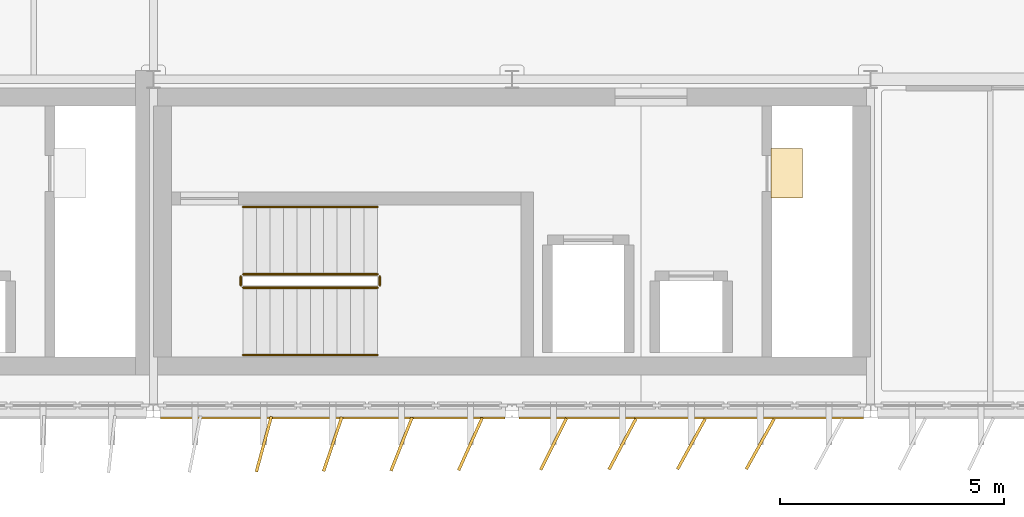
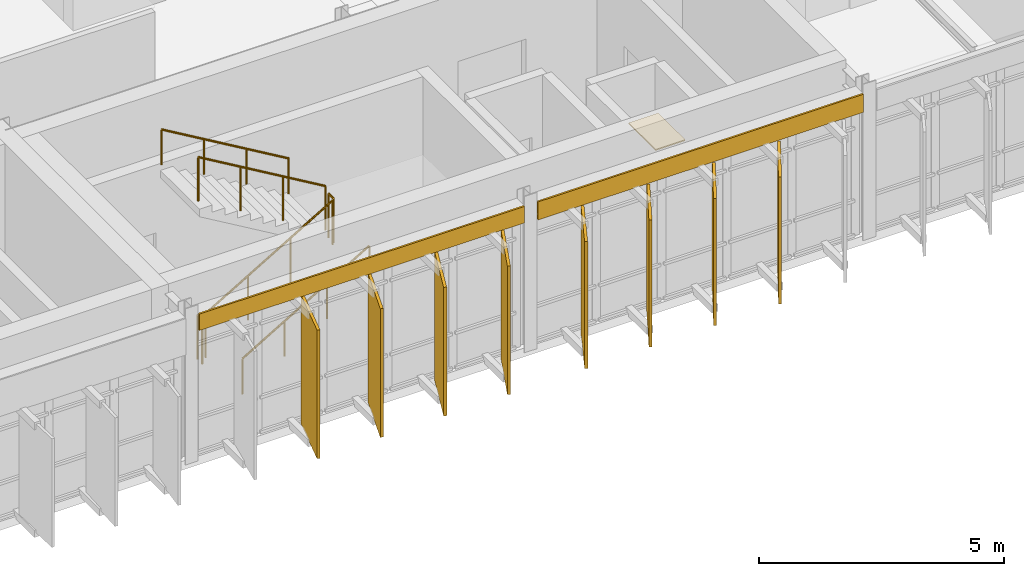
# One storey, part 32 of 35: 11 coverings, 6 railings.
"""IFC4 building model written with IfcOpenShell, lengths in metres."""

import ifcopenshell
import ifcopenshell.guid

model = None  # the IFC model being written
_history = None  # IfcOwnerHistory: only IFC2X3 demands one
_inside = {}  # id of a spatial element -> (the spatial element, [elements in it])
_under = {}  # id of a project, library or spatial element -> (it, [spatial elements below it])
_declared = {}  # id of a project -> (the project, [libraries it declares])
_typed = {}  # id of a type object -> (the type object, [elements of that type])
_made_of = {}  # id of a material, layer set ... -> (it, [elements and type objects made of it])


def new_model(schema):
    """Start an empty IFC model of exactly this schema.

    Asked for "IFC4X3", IfcOpenShell would pick the latest addendum, in which some entities
    have other attributes; the version numbers below select the first issue.
    IFC2X3 requires an IfcOwnerHistory on every rooted entity: one is made here for all.
    """
    global model, _history
    if schema == "IFC4X3":
        model = ifcopenshell.file(schema_version=(4, 3, 0, 0))
    else:
        model = ifcopenshell.file(schema=schema)
    _inside.clear()
    _under.clear()
    _declared.clear()
    _typed.clear()
    _made_of.clear()
    _history = None
    if model.schema == "IFC2X3":
        org = make("IfcOrganization", Name="unknown")
        user = make(
            "IfcPersonAndOrganization",
            ThePerson=make("IfcPerson", FamilyName="unknown"),
            TheOrganization=org,
        )
        app = make(
            "IfcApplication",
            ApplicationDeveloper=org,
            Version="unknown",
            ApplicationFullName="unknown",
            ApplicationIdentifier="unknown",
        )
        _history = make(
            "IfcOwnerHistory",
            OwningUser=user,
            OwningApplication=app,
            ChangeAction="ADDED",
            CreationDate=0,
        )
    return model


def make(cls, **values):
    """One entity of the class cls with the attributes given. An attribute that is None is left unset."""
    return model.create_entity(
        cls, **{name: value for name, value in values.items() if value is not None}
    )


def rooted(cls, **values):
    """An entity with a GlobalId (a new one), such as an element, a storey or a relation."""
    return make(cls, GlobalId=ifcopenshell.guid.new(), OwnerHistory=_history, **values)


def si_unit(unit_type, name, prefix=None):
    """IfcSIUnit, for example si_unit("LENGTHUNIT", "METRE", prefix="MILLI")."""
    return make("IfcSIUnit", UnitType=unit_type, Prefix=prefix, Name=name)


def assignment(units):
    """IfcUnitAssignment: the units of a project."""
    return None if units is None else make("IfcUnitAssignment", Units=units)


def point(xyz):
    """IfcCartesianPoint."""
    return None if xyz is None else make("IfcCartesianPoint", Coordinates=xyz)


def direction(xyz):
    """IfcDirection."""
    return None if xyz is None else make("IfcDirection", DirectionRatios=xyz)


def frame(location, z_axis=None, x_axis=None):
    """IfcAxis2Placement3D, a coordinate frame: its origin and axes. An axis left out is left unset."""
    return make(
        "IfcAxis2Placement3D",
        Location=point(location),
        Axis=direction(z_axis),
        RefDirection=direction(x_axis),
    )


def frame_2d(location, x_axis=None):
    """IfcAxis2Placement2D, a coordinate frame in the plane: its origin and x axis."""
    return make(
        "IfcAxis2Placement2D", Location=point(location), RefDirection=direction(x_axis)
    )


def origin():
    """The frame at (0, 0, 0) with its axes left unset."""
    return frame((0.0, 0.0, 0.0))


def origin_2d():
    """The frame at (0, 0) in the plane with its x axis left unset."""
    return frame_2d((0.0, 0.0))


def place(relative_to, where):
    """IfcLocalPlacement: puts the frame where relative to a parent placement (None: the world)."""
    return make(
        "IfcLocalPlacement", PlacementRelTo=relative_to, RelativePlacement=where
    )


def context(
    kind, dimensions, precision=None, world=None, true_north=None, identifier=None
):
    """IfcGeometricRepresentationContext, for example the 3D "Model" context."""
    return make(
        "IfcGeometricRepresentationContext",
        ContextIdentifier=identifier,
        ContextType=kind,
        CoordinateSpaceDimension=dimensions,
        Precision=precision,
        WorldCoordinateSystem=world,
        TrueNorth=true_north,
    )


def subcontext(parent, identifier, kind, view, scale=None):
    """IfcGeometricRepresentationSubContext, for example "Body" below "Model"."""
    return make(
        "IfcGeometricRepresentationSubContext",
        ContextIdentifier=identifier,
        ContextType=kind,
        ParentContext=parent,
        TargetScale=scale,
        TargetView=view,
    )


def project(units=None, contexts=None):
    """IfcProject with its units and contexts."""
    return rooted(
        "IfcProject",
        Name="project",
        RepresentationContexts=contexts,
        UnitsInContext=assignment(units),
    )


def spatial(cls, under=None, at=None, **own):
    """A site, building, storey or space (cls), placed at a placement, below another one or the project."""
    s = rooted(cls, ObjectPlacement=at, **own)
    if under is not None:
        _under.setdefault(under.id(), (under, []))[1].append(s)
    return s


def polyline(points):
    """IfcPolyline through the points."""
    return make("IfcPolyline", Points=[point(p) for p in points])


def profile(cls, at=None, kind="AREA", **sizes):
    """A parametric profile (cls). Its sizes go by their IFC names, for example OverallWidth=200.0."""
    return make(cls, ProfileType=kind, Position=at, **sizes)


def rectangle(**sizes):
    """IfcRectangleProfileDef."""
    return profile("IfcRectangleProfileDef", **sizes)


def circle(**sizes):
    """IfcCircleProfileDef."""
    return profile("IfcCircleProfileDef", **sizes)


def outline(outer, holes=None, kind="AREA"):
    """IfcArbitraryClosedProfileDef: a profile drawn as a closed curve; with holes, ...WithVoids."""
    if holes is None:
        return make("IfcArbitraryClosedProfileDef", ProfileType=kind, OuterCurve=outer)
    return make(
        "IfcArbitraryProfileDefWithVoids",
        ProfileType=kind,
        OuterCurve=outer,
        InnerCurves=holes,
    )


def extrude(swept, where, along, depth):
    """IfcExtrudedAreaSolid: the profile swept, set in the frame where, extruded along a direction by depth."""
    return make(
        "IfcExtrudedAreaSolid",
        SweptArea=swept,
        Position=where,
        ExtrudedDirection=direction(along),
        Depth=depth,
    )


def shape(context_of_items, identifier, shape_type, items):
    """IfcShapeRepresentation: the items that make up one representation, for example the "Body"."""
    return make(
        "IfcShapeRepresentation",
        ContextOfItems=context_of_items,
        RepresentationIdentifier=identifier,
        RepresentationType=shape_type,
        Items=items,
    )


def material(Name=None, Category=None):
    """IfcMaterial."""
    return make("IfcMaterial", Name=Name, Category=Category)


def layer(
    of_material, thickness, ventilated=None, Name=None, Category=None, Priority=None
):
    """IfcMaterialLayer: one layer of a wall or slab, of a material (None: an air gap)."""
    return make(
        "IfcMaterialLayer",
        Material=of_material,
        LayerThickness=thickness,
        IsVentilated=ventilated,
        Name=Name,
        Category=Category,
        Priority=Priority,
    )


def layer_set(layers, Name=None):
    """IfcMaterialLayerSet."""
    return make("IfcMaterialLayerSet", MaterialLayers=layers, LayerSetName=Name)


def made_of(thing, what):
    """Note that an element or type object is made of a material, layer set ...; save() writes the relation."""
    if what is not None:
        _made_of.setdefault(what.id(), (what, []))[1].append(thing)
    return thing


def type_object(cls, material=None, **own):
    """A type object (cls), such as IfcWallType, which elements share."""
    return made_of(rooted(cls, **own), material)


def element(
    cls,
    number,
    at=None,
    inside=None,
    cuts=None,
    type_object=None,
    material=None,
    context=None,
    identifier="Body",
    shape_type=None,
    held_by="IfcProductDefinitionShape",
    body=None,
    shapes=None,
    **own,
):
    """One element of the class cls, such as IfcWall. Its Tag is "e" and its number.

    at: its placement. inside: the storey or other place that contains it. cuts: it is an
    opening in that element (IfcRelVoidsElement). A single representation is given by context,
    identifier, shape_type and body (its items); several are given by shapes. held_by: the class
    of the entity that holds the representations. save() writes the other relations.
    """
    e = rooted(cls, Tag="e%d" % number, ObjectPlacement=at, **own)
    if body is not None:
        shapes = [shape(context, identifier, shape_type, body)]
    if shapes is not None:
        e.Representation = make(held_by, Representations=shapes)
    if inside is not None:
        _inside.setdefault(inside.id(), (inside, []))[1].append(e)
    if cuts is not None:
        rooted(
            "IfcRelVoidsElement", RelatingBuildingElement=cuts, RelatedOpeningElement=e
        )
    if type_object is not None:
        _typed.setdefault(type_object.id(), (type_object, []))[1].append(e)
    return made_of(e, material)


def aggregate(whole, parts):
    """IfcRelAggregates: a whole, such as a stair, and the parts it consists of."""
    return rooted("IfcRelAggregates", RelatingObject=whole, RelatedObjects=parts)


def save(model, path):
    """Write the relations noted so far, then the file.

    IfcRelAggregates (storeys below a building ...), IfcRelContainedInSpatialStructure (elements
    in a storey), IfcRelDefinesByType, IfcRelAssociatesMaterial and IfcRelDeclares: one each for
    every whole, place, type object, material and project.
    """
    for whole, parts in _under.values():
        aggregate(whole, parts)
    for where, things in _inside.values():
        rooted(
            "IfcRelContainedInSpatialStructure",
            RelatedElements=things,
            RelatingStructure=where,
        )
    for kind, things in _typed.values():
        rooted("IfcRelDefinesByType", RelatedObjects=things, RelatingType=kind)
    for what, things in _made_of.values():
        rooted("IfcRelAssociatesMaterial", RelatedObjects=things, RelatingMaterial=what)
    for by, libraries in _declared.values():
        rooted("IfcRelDeclares", RelatingContext=by, RelatedDefinitions=libraries)
    model.write(path)


model = new_model("IFC4")

# Units and contexts
model_context = context("Model", 3, precision=1e-05, world=origin(), true_north=direction((0.0, 1.0)))
body_context = subcontext(model_context, "Body", "Model", "MODEL_VIEW")
ifc_project = project(units=[si_unit("LENGTHUNIT", "METRE"), si_unit("AREAUNIT", "SQUARE_METRE"), si_unit("VOLUMEUNIT", "CUBIC_METRE"), si_unit("PLANEANGLEUNIT", "RADIAN"), si_unit("MASSUNIT", "GRAM", prefix="KILO")], contexts=[model_context])

# Site, building, storey
site_placement = place(None, origin())
site = spatial("IfcSite", under=ifc_project, at=site_placement, CompositionType="ELEMENT")
building_placement = place(site_placement, origin())
building = spatial("IfcBuilding", under=site, at=building_placement, Name="Valkorina Park Police Headquarters", CompositionType="ELEMENT")
storey_placement = place(building_placement, frame((0.0, 0.0, 27.199951171875)))
storey = spatial("IfcBuildingStorey", under=building, at=storey_placement, Name="L07", CompositionType="ELEMENT", Elevation=27.199951171875)

# Coverings
ifc_material_1 = material(Name="Precast concrete C40/50", Category="concrete")
ifc_layer_1 = layer(ifc_material_1, 0.044921875)
ifc_layer_set_1 = layer_set([ifc_layer_1], Name="Precast concrete C40/50")
covering_type_1 = type_object("IfcCoveringType", Name="COV-CLAD-DOLOMITE", PredefinedType="CLADDING", material=ifc_layer_set_1)
covering_1_placement = place(storey_placement, frame((48.639892578125, 36.840087890625, 3.22998046875), z_axis=(0.0, 0.0, 1.0), x_axis=(-1.0, 0.0, 0.0)))
element("IfcCovering", 1, at=covering_1_placement, inside=storey, type_object=covering_type_1, Name="L07 Spandrel Beam Insulated Fascia 2555", PredefinedType="CLADDING", context=body_context, shape_type="SweptSolid", body=[
    extrude(rectangle(XDim=7.679931640625, YDim=0.044921875, at=frame_2d((3.83984375, 0.0))), origin(), (0.0, 0.0, 1.0), 0.449951171875),
])
covering_2_placement = place(storey_placement, frame((40.639892578125, 36.840087890625, 3.27001953125), z_axis=(0.0, 0.0, 1.0), x_axis=(-1.0, 0.0, 0.0)))
element("IfcCovering", 2, at=covering_2_placement, inside=storey, type_object=covering_type_1, Name="L07 Spandrel Beam Insulated Fascia 2556", PredefinedType="CLADDING", context=body_context, shape_type="SweptSolid", body=[
    extrude(rectangle(XDim=7.679931640625, YDim=0.044921875, at=frame_2d((3.83984375, 0.0))), origin(), (0.0, 0.0, 1.0), 0.409912109375),
])
ifc_material_2 = material(Name="Resin terrazzo flooring")
ifc_layer_2 = layer(ifc_material_2, 0.030029296875)
ifc_layer_set_2 = layer_set([ifc_layer_2], Name="Resin terrazzo flooring")
covering_type_2 = type_object("IfcCoveringType", Name="COV-FLOOR-TERRAZZO", PredefinedType="FLOORING", material=ifc_layer_set_2)
covering_3_placement = place(storey_placement, origin())
element("IfcCovering", 3, at=covering_3_placement, inside=storey, type_object=covering_type_2, Name="Core C2 L07 Riser Inspection Threshold Grate", PredefinedType="FLOORING", context=body_context, shape_type="SweptSolid", body=[
    extrude(outline(polyline([(47.280029296875, 41.75), (47.280029296875, 42.85009765625), (46.580078125, 42.85009765625), (46.580078125, 41.75), (47.280029296875, 41.75)])), origin(), (0.0, 0.0, 1.0), 0.030029296875),
])

# Railings
ifc_material_3 = material(Name="Stainless steel EN 1.4404", Category="steel")
railing_type_1 = type_object("IfcRailingType", Name="RL-GUARD-INT-1100", PredefinedType="BALUSTRADE", material=ifc_material_3)
railing_1_placement = place(storey_placement, frame((34.800048828125, 39.75, 0.17724609375)))
element("IfcRailing", 4, at=railing_1_placement, inside=storey, type_object=railing_type_1, Name="L07 Core C2 Stair Guard 1", PredefinedType="BALUSTRADE", context=body_context, shape_type="SweptSolid", body=[
    extrude(circle(Radius=0.02392578125, at=origin_2d()), frame((0.0, 0.0, 1.09619140625), z_axis=(0.86092931783, 0.0, 0.508724591208), x_axis=(0.0, 1.0, 0.0)), (0.0, 0.0, 1.0), 3.484619140625),
    extrude(circle(Radius=0.02099609375, at=origin_2d()), origin(), (0.0, 0.0, 1.0), 1.072021484375),
    extrude(circle(Radius=0.02099609375, at=origin_2d()), frame((1.0, 0.0, 0.5908203125)), (0.0, 0.0, 1.0), 1.072021484375),
    extrude(circle(Radius=0.02099609375, at=origin_2d()), frame((2.0, 0.0, 1.181884765625)), (0.0, 0.0, 1.0), 1.072021484375),
    extrude(circle(Radius=0.02099609375, at=origin_2d()), frame((3.0, 0.0, 1.772705078125)), (0.0, 0.0, 1.0), 1.072021484375),
])
railing_2_placement = place(storey_placement, frame((37.85009765625, 39.800048828125, 1.949951171875)))
element("IfcRailing", 5, at=railing_2_placement, inside=storey, type_object=railing_type_1, Name="L07 Core C2 Stair Guard 2", PredefinedType="BALUSTRADE", context=body_context, shape_type="SweptSolid", body=[
    extrude(circle(Radius=0.02392578125, at=origin_2d()), frame((0.0, 0.0, 1.09619140625), z_axis=(0.0, 1.0, 0.0), x_axis=(-1.0, 0.0, 0.0)), (0.0, 0.0, 1.0), 0.199951171875),
    extrude(circle(Radius=0.02099609375, at=origin_2d()), origin(), (0.0, 0.0, 1.0), 1.072021484375),
    extrude(circle(Radius=0.02099609375, at=origin_2d()), frame((0.0, 0.199951171875, 0.0)), (0.0, 0.0, 1.0), 1.072021484375),
])
railing_3_placement = place(storey_placement, frame((37.800048828125, 40.050048828125, 2.12744140625)))
element("IfcRailing", 6, at=railing_3_placement, inside=storey, type_object=railing_type_1, Name="L07 Core C2 Stair Guard 3", PredefinedType="BALUSTRADE", context=body_context, shape_type="SweptSolid", body=[
    extrude(circle(Radius=0.02392578125, at=origin_2d()), frame((0.0, 0.0, 1.09619140625), z_axis=(-0.86092931783, 0.0, 0.508724591208), x_axis=(0.0, -1.0, 0.0)), (0.0, 0.0, 1.0), 3.484619140625),
    extrude(circle(Radius=0.02099609375, at=origin_2d()), origin(), (0.0, 0.0, 1.0), 1.072021484375),
    extrude(circle(Radius=0.02099609375, at=origin_2d()), frame((-1.0, 0.0, 0.5908203125)), (0.0, 0.0, 1.0), 1.072021484375),
    extrude(circle(Radius=0.02099609375, at=origin_2d()), frame((-2.0, 0.0, 1.181884765625)), (0.0, 0.0, 1.0), 1.072021484375),
    extrude(circle(Radius=0.02099609375, at=origin_2d()), frame((-3.0, 0.0, 1.772705078125)), (0.0, 0.0, 1.0), 1.072021484375),
])
railing_4_placement = place(storey_placement, frame((34.75, 39.800048828125, 0.0)))
element("IfcRailing", 7, at=railing_4_placement, inside=storey, type_object=railing_type_1, Name="L07 Core C2 Stair Guard 4", PredefinedType="BALUSTRADE", context=body_context, shape_type="SweptSolid", body=[
    extrude(circle(Radius=0.02392578125, at=origin_2d()), frame((0.0, 0.0, 1.09619140625), z_axis=(0.0, 1.0, 0.0), x_axis=(-1.0, 0.0, 0.0)), (0.0, 0.0, 1.0), 0.199951171875),
    extrude(circle(Radius=0.02099609375, at=origin_2d()), origin(), (0.0, 0.0, 1.0), 1.072021484375),
    extrude(circle(Radius=0.02099609375, at=origin_2d()), frame((0.0, 0.199951171875, 0.0)), (0.0, 0.0, 1.0), 1.072021484375),
])
railing_type_2 = type_object("IfcRailingType", Name="RL-HANDRAIL-900", PredefinedType="HANDRAIL", material=ifc_material_3)
railing_5_placement = place(storey_placement, frame((34.800048828125, 38.25, 0.17724609375)))
element("IfcRailing", 8, at=railing_5_placement, inside=storey, type_object=railing_type_2, Name="L07 Core C2 Stair Handrail 1", PredefinedType="HANDRAIL", context=body_context, shape_type="SweptSolid", body=[
    extrude(circle(Radius=0.02392578125, at=origin_2d()), frame((0.0, 0.0, 0.8759765625), z_axis=(0.86092931783, 0.0, 0.508724591208), x_axis=(0.0, 1.0, 0.0)), (0.0, 0.0, 1.0), 3.484619140625),
    extrude(circle(Radius=0.02099609375, at=origin_2d()), origin(), (0.0, 0.0, 1.0), 0.851806640625),
    extrude(circle(Radius=0.02099609375, at=origin_2d()), frame((1.0, 0.0, 0.5908203125)), (0.0, 0.0, 1.0), 0.851806640625),
    extrude(circle(Radius=0.02099609375, at=origin_2d()), frame((2.0, 0.0, 1.181884765625)), (0.0, 0.0, 1.0), 0.851806640625),
    extrude(circle(Radius=0.02099609375, at=origin_2d()), frame((3.0, 0.0, 1.772705078125)), (0.0, 0.0, 1.0), 0.851806640625),
])
railing_6_placement = place(storey_placement, frame((37.800048828125, 41.550048828125, 2.12744140625)))
element("IfcRailing", 9, at=railing_6_placement, inside=storey, type_object=railing_type_2, Name="L07 Core C2 Stair Handrail 2", PredefinedType="HANDRAIL", context=body_context, shape_type="SweptSolid", body=[
    extrude(circle(Radius=0.02392578125, at=origin_2d()), frame((0.0, 0.0, 0.8759765625), z_axis=(-0.86092931783, 0.0, 0.508724591208), x_axis=(0.0, -1.0, 0.0)), (0.0, 0.0, 1.0), 3.484619140625),
    extrude(circle(Radius=0.02099609375, at=origin_2d()), origin(), (0.0, 0.0, 1.0), 0.851806640625),
    extrude(circle(Radius=0.02099609375, at=origin_2d()), frame((-1.0, 0.0, 0.5908203125)), (0.0, 0.0, 1.0), 0.851806640625),
    extrude(circle(Radius=0.02099609375, at=origin_2d()), frame((-2.0, 0.0, 1.181884765625)), (0.0, 0.0, 1.0), 0.851806640625),
    extrude(circle(Radius=0.02099609375, at=origin_2d()), frame((-3.0, 0.0, 1.772705078125)), (0.0, 0.0, 1.0), 0.851806640625),
])

# Coverings
ifc_material_4 = material(Name="Polychrome anodized aluminium - Baltic Amber", Category="aluminium")
ifc_layer_3 = layer(ifc_material_4, 0.06494140625)
ifc_layer_set_3 = layer_set([ifc_layer_3], Name="Polychrome anodized aluminium - Baltic Amber")
covering_type_3 = type_object("IfcCoveringType", Name="SHD-LOUVRE-AMBER", PredefinedType="CLADDING", material=ifc_layer_set_3)
covering_4_placement = place(storey_placement, frame((41.72802734375, 36.260009765625, 0.0400390625), z_axis=(0.0, 0.0, 1.0), x_axis=(-0.44838321609, -0.893841424151, 0.0)))
element("IfcCovering", 10, at=covering_4_placement, inside=storey, type_object=covering_type_3, Name="V5 Polychrome Pivoting Louvre 0481", PredefinedType="CLADDING", context=body_context, shape_type="SweptSolid", body=[
    extrude(rectangle(XDim=1.280029296875, YDim=0.06494140625, at=origin_2d()), origin(), (0.0, 0.0, 1.0), 3.169921875),
])
covering_5_placement = place(storey_placement, frame((35.263916015625, 36.260009765625, 0.0400390625), z_axis=(0.0, 0.0, 1.0), x_axis=(-0.261683861269, -0.965153644117, 0.0)))
element("IfcCovering", 11, at=covering_5_placement, inside=storey, type_object=covering_type_3, Name="V5 Polychrome Pivoting Louvre 0485", PredefinedType="CLADDING", context=body_context, shape_type="SweptSolid", body=[
    extrude(rectangle(XDim=1.280029296875, YDim=0.06494140625, at=origin_2d()), origin(), (0.0, 0.0, 1.0), 3.2099609375),
])
ifc_material_5 = material(Name="Polychrome anodized aluminium - Riga Ochre", Category="aluminium")
ifc_layer_4 = layer(ifc_material_5, 0.06494140625)
ifc_layer_set_4 = layer_set([ifc_layer_4], Name="Polychrome anodized aluminium - Riga Ochre")
covering_type_4 = type_object("IfcCoveringType", Name="SHD-LOUVRE-OCHRE", PredefinedType="CLADDING", material=ifc_layer_set_4)
covering_6_placement = place(storey_placement, frame((44.800048828125, 36.260009765625, 0.0400390625), z_axis=(0.0, 0.0, 1.0), x_axis=(-0.481906611132, -0.876222584819, 0.0)))
element("IfcCovering", 12, at=covering_6_placement, inside=storey, type_object=covering_type_4, Name="V5 Polychrome Pivoting Louvre 0479", PredefinedType="CLADDING", context=body_context, shape_type="SweptSolid", body=[
    extrude(rectangle(XDim=1.280029296875, YDim=0.06494140625, at=origin_2d()), origin(), (0.0, 0.0, 1.0), 3.169921875),
])
covering_7_placement = place(storey_placement, frame((38.3359375, 36.260009765625, 0.0400390625), z_axis=(0.0, 0.0, 1.0), x_axis=(-0.368773569362, -0.929519259908, 0.0)))
element("IfcCovering", 13, at=covering_7_placement, inside=storey, type_object=covering_type_4, Name="V5 Polychrome Pivoting Louvre 0483", PredefinedType="CLADDING", context=body_context, shape_type="SweptSolid", body=[
    extrude(rectangle(XDim=1.280029296875, YDim=0.06494140625, at=origin_2d()), origin(), (0.0, 0.0, 1.0), 3.2099609375),
])
ifc_material_6 = material(Name="Polychrome anodized aluminium - Courland Slate Blue", Category="masonry")
ifc_layer_5 = layer(ifc_material_6, 0.06494140625)
ifc_layer_set_5 = layer_set([ifc_layer_5], Name="Polychrome anodized aluminium - Courland Slate Blue")
covering_type_5 = type_object("IfcCoveringType", Name="SHD-LOUVRE-SLATE", PredefinedType="CLADDING", material=ifc_layer_set_5)
covering_8_placement = place(storey_placement, frame((43.263916015625, 36.260009765625, 0.0400390625), z_axis=(0.0, 0.0, 1.0), x_axis=(-0.46977974103, -0.88278366258, 0.0)))
element("IfcCovering", 14, at=covering_8_placement, inside=storey, type_object=covering_type_5, Name="V5 Polychrome Pivoting Louvre 0480", PredefinedType="CLADDING", context=body_context, shape_type="SweptSolid", body=[
    extrude(rectangle(XDim=1.280029296875, YDim=0.06494140625, at=origin_2d()), origin(), (0.0, 0.0, 1.0), 3.169921875),
])
covering_9_placement = place(storey_placement, frame((36.800048828125, 36.260009765625, 0.0400390625), z_axis=(0.0, 0.0, 1.0), x_axis=(-0.318959309298, -0.94776841001, 0.0)))
element("IfcCovering", 15, at=covering_9_placement, inside=storey, type_object=covering_type_5, Name="V5 Polychrome Pivoting Louvre 0484", PredefinedType="CLADDING", context=body_context, shape_type="SweptSolid", body=[
    extrude(rectangle(XDim=1.280029296875, YDim=0.06494140625, at=origin_2d()), origin(), (0.0, 0.0, 1.0), 3.2099609375),
])
ifc_material_7 = material(Name="Polychrome anodized aluminium - Pine Verdigris", Category="aluminium")
ifc_layer_6 = layer(ifc_material_7, 0.06494140625)
ifc_layer_set_6 = layer_set([ifc_layer_6], Name="Polychrome anodized aluminium - Pine Verdigris")
covering_type_6 = type_object("IfcCoveringType", Name="SHD-LOUVRE-VERDIGRIS", PredefinedType="CLADDING", material=ifc_layer_set_6)
covering_10_placement = place(storey_placement, frame((46.3359375, 36.260009765625, 0.0400390625), z_axis=(0.0, 0.0, 1.0), x_axis=(-0.484656962927, -0.874704309059, 0.0)))
element("IfcCovering", 16, at=covering_10_placement, inside=storey, type_object=covering_type_6, Name="V5 Polychrome Pivoting Louvre 0478", PredefinedType="CLADDING", context=body_context, shape_type="SweptSolid", body=[
    extrude(rectangle(XDim=1.280029296875, YDim=0.06494140625, at=origin_2d()), origin(), (0.0, 0.0, 1.0), 3.169921875),
])
covering_11_placement = place(storey_placement, frame((39.8720703125, 36.260009765625, 0.0400390625), z_axis=(0.0, 0.0, 1.0), x_axis=(-0.410082222589, -0.912048557214, 0.0)))
element("IfcCovering", 17, at=covering_11_placement, inside=storey, type_object=covering_type_6, Name="V5 Polychrome Pivoting Louvre 0482", PredefinedType="CLADDING", context=body_context, shape_type="SweptSolid", body=[
    extrude(rectangle(XDim=1.280029296875, YDim=0.06494140625, at=origin_2d()), origin(), (0.0, 0.0, 1.0), 3.2099609375),
])

save(model, "model.ifc")
